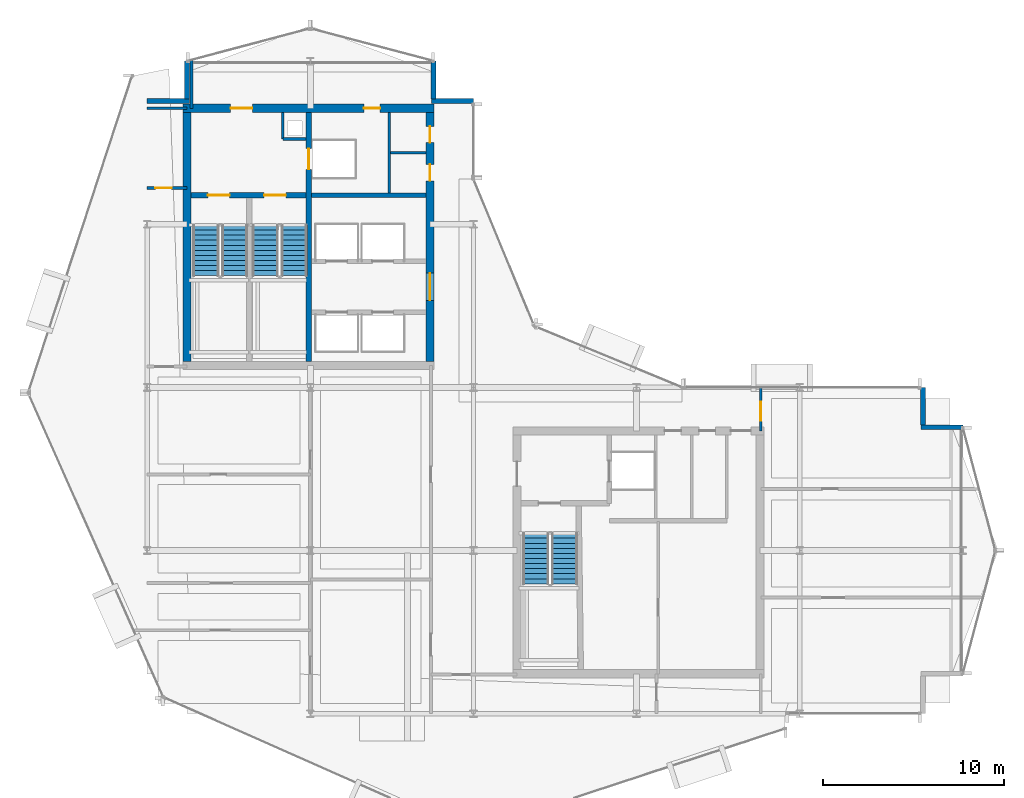
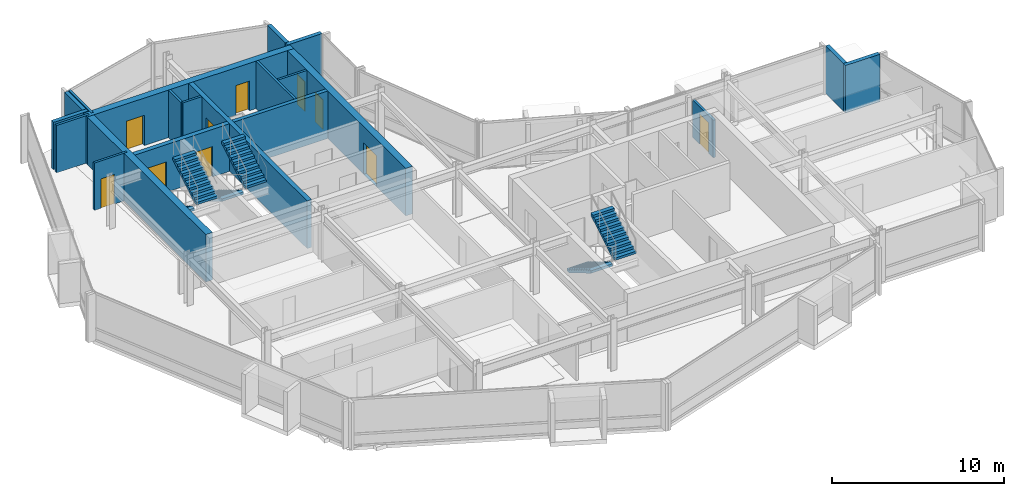
# One storey, part 21 of 27: 20 walls, 10 doors, 6 stair flights, 10 openings, 3 elements without a shape of their own.
"""IFC4 building model written with IfcOpenShell, lengths in metres."""

from ifc_helpers import new_model, si_unit, direction, frame, frame_2d, origin, place, context, subcontext, project, spatial, polyline, rectangle, outline, extrude, material, layer, layer_set, type_object, element, fill, aggregate, save


model = new_model("IFC4")

# Units and contexts
model_context = context("Model", 3, precision=1e-05, world=origin(), true_north=direction((0.0, 1.0)))
body_context = subcontext(model_context, "Body", "Model", "MODEL_VIEW")
ifc_project = project(units=[si_unit("LENGTHUNIT", "METRE"), si_unit("AREAUNIT", "SQUARE_METRE"), si_unit("VOLUMEUNIT", "CUBIC_METRE"), si_unit("PLANEANGLEUNIT", "RADIAN"), si_unit("MASSUNIT", "GRAM", prefix="KILO")], contexts=[model_context])

# Site, building, storey
site_placement = place(None, origin())
site = spatial("IfcSite", under=ifc_project, at=site_placement, CompositionType="ELEMENT")
building_placement = place(site_placement, origin())
building = spatial("IfcBuilding", under=site, at=building_placement, Name="Solvaryn Broadcast Tower", CompositionType="ELEMENT")
storey_placement = place(building_placement, frame((0.0, 0.0, 232.10009765625)))
storey = spatial("IfcBuildingStorey", under=building, at=storey_placement, Name="L58", CompositionType="ELEMENT", Elevation=232.10009765625)

# Wall, openings, doors
ifc_material_1 = material(Name="Concrete f'c 70 MPa", Category="concrete")
ifc_layer_1 = layer(ifc_material_1, 0.449951171875)
ifc_layer_set_1 = layer_set([ifc_layer_1], Name="CW-SHEAR-450")
wall_type_1 = type_object("IfcWallType", Name="CW-SHEAR-450", PredefinedType="SHEAR", material=ifc_layer_set_1)
wall_1_placement = place(storey_placement, frame((24.824951171875, 42.39990234375, 0.0), z_axis=(0.0, 0.0, 1.0), x_axis=(-1.0, 0.0, 0.0)))
wall_1 = element("IfcWall", 1, at=wall_1_placement, inside=storey, type_object=wall_type_1, Name="L58 West Core North Shear Wall", PredefinedType="SHEAR", context=body_context, shape_type="SweptSolid", body=[
    extrude(rectangle(XDim=13.849853515625, YDim=0.449951171875, at=frame_2d((6.9248046875, 0.0))), origin(), (0.0, 0.0, 1.0), 3.369873046875),
])
opening_1_placement = place(wall_1_placement, frame((10.02490234375, 0.0, 0.0)))
opening_1 = element("IfcOpeningElement", 2, at=opening_1_placement, cuts=wall_1, Name="Opening FD90A", PredefinedType="OPENING", context=body_context, shape_type="SweptSolid", body=[
    extrude(rectangle(XDim=1.199951171875, YDim=2.14990234375, at=frame_2d((0.60009765625, 1.074951171875))), frame((0.0, 0.235107421875, 0.0), z_axis=(0.0, -1.0, 0.0), x_axis=(1.0, 0.0, 0.0)), (0.0, 0.0, 1.0), 0.469970703125),
])
opening_2_placement = place(wall_1_placement, frame((2.97509765625, 0.0, 0.0)))
opening_2 = element("IfcOpeningElement", 3, at=opening_2_placement, cuts=wall_1, Name="Opening FD60C", PredefinedType="OPENING", context=body_context, shape_type="SweptSolid", body=[
    extrude(rectangle(XDim=0.89990234375, YDim=2.10009765625, at=frame_2d((0.449951171875, 1.050048828125))), frame((0.0, 0.235107421875, 0.0), z_axis=(0.0, -1.0, 0.0), x_axis=(1.0, 0.0, 0.0)), (0.0, 0.0, 1.0), 0.469970703125),
])
ifc_material_2 = material(Name="Flush Acoustic Steel and Timber Door Assembly", Category="steel")
door_type_1 = type_object("IfcDoorType", Name="FD60-SERV-900X2100", OperationType="NOTDEFINED", PredefinedType="DOOR", material=ifc_material_2)
door_1_placement = place(opening_2_placement, origin())
door_1 = element("IfcDoor", 4, at=door_1_placement, inside=storey, type_object=door_type_1, Name="L58 West Core Fiber Riser Door", OperationType="SINGLE_SWING_RIGHT", OverallHeight=2.10009765625, OverallWidth=0.89990234375, PredefinedType="DOOR", context=body_context, shape_type="SweptSolid", body=[
    extrude(rectangle(XDim=0.89990234375, YDim=2.10009765625, at=frame_2d((0.449951171875, 1.050048828125))), frame((0.0, 0.02490234375, 0.0), z_axis=(0.0, -1.0, 0.0), x_axis=(1.0, 0.0, 0.0)), (0.0, 0.0, 1.0), 0.050048828125),
])
fill(opening_2, door_1)
ifc_material_3 = material(Name="Flush Acoustic Steel and Timber Door Assembly", Category="steel")
door_type_2 = type_object("IfcDoorType", Name="FD90-STAIR-1200X2150", OperationType="NOTDEFINED", PredefinedType="DOOR", material=ifc_material_3)
door_2_placement = place(opening_1_placement, origin())
door_2 = element("IfcDoor", 5, at=door_2_placement, inside=storey, type_object=door_type_2, Name="L58 West FSAE Lobby Corridor Door", OperationType="SINGLE_SWING_LEFT", OverallHeight=2.14990234375, OverallWidth=1.199951171875, PredefinedType="DOOR", context=body_context, shape_type="SweptSolid", body=[
    extrude(rectangle(XDim=1.199951171875, YDim=2.14990234375, at=frame_2d((0.60009765625, 1.074951171875))), frame((0.0, 0.02490234375, 0.0), z_axis=(0.0, -1.0, 0.0), x_axis=(1.0, 0.0, 0.0)), (0.0, 0.0, 1.0), 0.050048828125),
])
fill(opening_1, door_2)

# Wall
wall_2_placement = place(storey_placement, frame((11.199951171875, 42.175048828125, 0.0), z_axis=(0.0, 0.0, 1.0), x_axis=(0.0, -1.0, 0.0)))
element("IfcWall", 6, at=wall_2_placement, inside=storey, type_object=wall_type_1, Name="L58 West Core West Shear Wall", PredefinedType="SHEAR", context=body_context, shape_type="SweptSolid", body=[
    extrude(rectangle(XDim=13.75, YDim=0.449951171875, at=frame_2d((6.875, 0.0))), origin(), (0.0, 0.0, 1.0), 3.369873046875),
])

# Wall, openings, doors
wall_3_placement = place(storey_placement, frame((24.60009765625, 28.425048828125, 0.0), z_axis=(0.0, 0.0, 1.0), x_axis=(0.0, 1.0, 0.0)))
wall_3 = element("IfcWall", 7, at=wall_3_placement, inside=storey, type_object=wall_type_1, Name="L58 West Core East Shear Wall", PredefinedType="SHEAR", context=body_context, shape_type="SweptSolid", body=[
    extrude(rectangle(XDim=13.75, YDim=0.449951171875, at=frame_2d((6.875, 0.0))), origin(), (0.0, 0.0, 1.0), 3.369873046875),
])
opening_3_placement = place(wall_3_placement, frame((3.375, 0.0, 0.0)))
opening_3 = element("IfcOpeningElement", 8, at=opening_3_placement, cuts=wall_3, Name="Opening FD60A", PredefinedType="OPENING", context=body_context, shape_type="SweptSolid", body=[
    extrude(rectangle(XDim=1.5, YDim=2.199951171875, at=frame_2d((0.75, 1.10009765625))), frame((0.0, 0.235107421875, 0.0), z_axis=(0.0, -1.0, 0.0), x_axis=(1.0, 0.0, 0.0)), (0.0, 0.0, 1.0), 0.469970703125),
])
opening_4_placement = place(wall_3_placement, frame((9.97509765625, 0.0, 0.0)))
opening_4 = element("IfcOpeningElement", 9, at=opening_4_placement, cuts=wall_3, Name="Opening FD60C", PredefinedType="OPENING", context=body_context, shape_type="SweptSolid", body=[
    extrude(rectangle(XDim=0.89990234375, YDim=2.10009765625, at=frame_2d((0.449951171875, 1.050048828125))), frame((0.0, 0.235107421875, 0.0), z_axis=(0.0, -1.0, 0.0), x_axis=(1.0, 0.0, 0.0)), (0.0, 0.0, 1.0), 0.469970703125),
])
opening_5_placement = place(wall_3_placement, frame((12.074951171875, 0.0, 0.0)))
opening_5 = element("IfcOpeningElement", 10, at=opening_5_placement, cuts=wall_3, Name="Opening FD60C", PredefinedType="OPENING", context=body_context, shape_type="SweptSolid", body=[
    extrude(rectangle(XDim=0.89990234375, YDim=2.10009765625, at=frame_2d((0.449951171875, 1.050048828125))), frame((0.0, 0.235107421875, 0.0), z_axis=(0.0, -1.0, 0.0), x_axis=(1.0, 0.0, 0.0)), (0.0, 0.0, 1.0), 0.469970703125),
])
ifc_material_4 = material(Name="Flush Acoustic Steel and Timber Door Assembly", Category="steel")
door_type_3 = type_object("IfcDoorType", Name="FD60-CORR-1500X2200", OperationType="NOTDEFINED", PredefinedType="DOOR", material=ifc_material_4)
door_3_placement = place(opening_3_placement, origin())
door_3 = element("IfcDoor", 11, at=door_3_placement, inside=storey, type_object=door_type_3, Name="L58 West Elevator Lobby Corridor Door", OperationType="DOUBLE_DOOR_SINGLE_SWING", OverallHeight=2.199951171875, OverallWidth=1.5, PredefinedType="DOOR", context=body_context, shape_type="SweptSolid", body=[
    extrude(rectangle(XDim=1.5, YDim=2.199951171875, at=frame_2d((0.75, 1.10009765625))), frame((0.0, 0.02490234375, 0.0), z_axis=(0.0, -1.0, 0.0), x_axis=(1.0, 0.0, 0.0)), (0.0, 0.0, 1.0), 0.050048828125),
])
fill(opening_3, door_3)
door_4_placement = place(opening_4_placement, origin())
door_4 = element("IfcDoor", 12, at=door_4_placement, inside=storey, type_object=door_type_1, Name="L58 West Core Service Door 1", OperationType="SINGLE_SWING_LEFT", OverallHeight=2.10009765625, OverallWidth=0.89990234375, PredefinedType="DOOR", context=body_context, shape_type="SweptSolid", body=[
    extrude(rectangle(XDim=0.89990234375, YDim=2.10009765625, at=frame_2d((0.449951171875, 1.050048828125))), frame((0.0, 0.02490234375, 0.0), z_axis=(0.0, -1.0, 0.0), x_axis=(1.0, 0.0, 0.0)), (0.0, 0.0, 1.0), 0.050048828125),
])
fill(opening_4, door_4)
door_5_placement = place(opening_5_placement, origin())
door_5 = element("IfcDoor", 13, at=door_5_placement, inside=storey, type_object=door_type_1, Name="L58 West Core Janitor Door", OperationType="SINGLE_SWING_RIGHT", OverallHeight=2.10009765625, OverallWidth=0.89990234375, PredefinedType="DOOR", context=body_context, shape_type="SweptSolid", body=[
    extrude(rectangle(XDim=0.89990234375, YDim=2.10009765625, at=frame_2d((0.449951171875, 1.050048828125))), frame((0.0, 0.02490234375, 0.0), z_axis=(0.0, -1.0, 0.0), x_axis=(1.0, 0.0, 0.0)), (0.0, 0.0, 1.0), 0.050048828125),
])
fill(opening_5, door_5)

# Walls
ifc_material_5 = material(Name="Concrete f'c 50 MPa", Category="concrete")
ifc_layer_2 = layer(ifc_material_5, 0.260009765625)
ifc_layer_set_2 = layer_set([ifc_layer_2], Name="EW-PIER-260")
wall_type_2 = type_object("IfcWallType", Name="EW-PIER-260", PredefinedType="SOLIDWALL", material=ifc_layer_set_2)
wall_4_placement = place(storey_placement, frame((9.0, 42.800048828125, 0.0), z_axis=(0.0, 0.0, 1.0), x_axis=(1.0, 0.0, 0.0)))
element("IfcWall", 14, at=wall_4_placement, inside=storey, type_object=wall_type_2, Name="L58 Notched Corner Pier Wall NNW1", PredefinedType="SOLIDWALL", context=body_context, shape_type="SweptSolid", body=[
    extrude(rectangle(XDim=2.320068359375, YDim=0.260009765625, at=frame_2d((1.16015625, 0.0))), origin(), (0.0, 0.0, 1.0), 3.369873046875),
])
for number, where, z_axis, x_axis, name in (
    (15, (11.199951171875, 42.919921875, 0.0), (0.0, 0.0, 1.0), (0.0, 1.0, 0.0), "L58 Notched Corner Pier Wall NNW2"),
    (16, (24.800048828125, 45.0, 0.0), (0.0, 0.0, 1.0), (0.0, -1.0, 0.0), "L58 Notched Corner Pier Wall NNE1"),
):
    element("IfcWall", number, at=place(storey_placement, frame(where, z_axis=z_axis, x_axis=x_axis)), inside=storey, type_object=wall_type_2, Name=name, PredefinedType="SOLIDWALL", context=body_context, shape_type="SweptSolid", body=[
        extrude(rectangle(XDim=2.080078125, YDim=0.260009765625, at=frame_2d((1.0400390625, 0.0))), origin(), (0.0, 0.0, 1.0), 3.369873046875),
    ])
for number, where, z_axis, x_axis, name in (
    (17, (24.679931640625, 42.800048828125, 0.0), (0.0, 0.0, 1.0), (1.0, 0.0, 0.0), "L58 Notched Corner Pier Wall NNE2"),
    (18, (54.0, 24.800048828125, 0.0), (0.0, 0.0, 1.0), (-1.0, 0.0, 0.0), "L58 Notched Corner Pier Wall NEE1"),
):
    element("IfcWall", number, at=place(storey_placement, frame(where, z_axis=z_axis, x_axis=x_axis)), inside=storey, type_object=wall_type_2, Name=name, PredefinedType="SOLIDWALL", context=body_context, shape_type="SweptSolid", body=[
        extrude(rectangle(XDim=2.320068359375, YDim=0.260009765625, at=frame_2d((1.16015625, 0.0))), origin(), (0.0, 0.0, 1.0), 3.369873046875),
    ])
wall_5_placement = place(storey_placement, frame((51.800048828125, 24.919921875, 0.0), z_axis=(0.0, 0.0, 1.0), x_axis=(0.0, 1.0, 0.0)))
element("IfcWall", 19, at=wall_5_placement, inside=storey, type_object=wall_type_2, Name="L58 Notched Corner Pier Wall NEE2", PredefinedType="SOLIDWALL", context=body_context, shape_type="SweptSolid", body=[
    extrude(rectangle(XDim=2.080078125, YDim=0.260009765625, at=frame_2d((1.0400390625, 0.0))), origin(), (0.0, 0.0, 1.0), 3.369873046875),
])
ifc_material_6 = material(Name="Metal-Stud Service Core Partition")
ifc_layer_3 = layer(ifc_material_6, 0.14990234375)
ifc_layer_set_3 = layer_set([ifc_layer_3], Name="IW-PART-150")
wall_type_3 = type_object("IfcWallType", Name="IW-PART-150", PredefinedType="PARTITIONING", material=ifc_layer_set_3)
wall_6_placement = place(storey_placement, frame((16.47998046875, 40.699951171875, 0.0), z_axis=(0.0, 0.0, 1.0), x_axis=(1.0, 0.0, 0.0)))
element("IfcWall", 20, at=wall_6_placement, inside=storey, type_object=wall_type_3, Name="L58 West Core Riser Shaft South Wall", PredefinedType="PARTITIONING", context=body_context, shape_type="SweptSolid", body=[
    extrude(rectangle(XDim=1.2900390625, YDim=0.14990234375, at=frame_2d((0.64501953125, 0.0))), origin(), (0.0, 0.0, 1.0), 3.369873046875),
])
wall_7_placement = place(storey_placement, frame((16.47998046875, 40.699951171875, 0.0), z_axis=(0.0, 0.0, 1.0), x_axis=(0.0, 1.0, 0.0)))
element("IfcWall", 21, at=wall_7_placement, inside=storey, type_object=wall_type_3, Name="L58 West Core Riser Shaft West Wall", PredefinedType="PARTITIONING", context=body_context, shape_type="SweptSolid", body=[
    extrude(rectangle(XDim=1.47509765625, YDim=0.14990234375, at=frame_2d((0.737548828125, 0.0))), origin(), (0.0, 0.0, 1.0), 3.369873046875),
])
wall_8_placement = place(storey_placement, frame((22.35009765625, 37.72998046875, 0.0), z_axis=(0.0, 0.0, 1.0), x_axis=(0.0, 1.0, 0.0)))
element("IfcWall", 22, at=wall_8_placement, inside=storey, type_object=wall_type_3, Name="L58 Interior Partition IW-L58-CWS-V", PredefinedType="PARTITIONING", context=body_context, shape_type="SweptSolid", body=[
    extrude(rectangle(XDim=4.445068359375, YDim=0.14990234375, at=frame_2d((2.22265625, 0.0))), origin(), (0.0, 0.0, 1.0), 3.369873046875),
])
wall_9_placement = place(storey_placement, frame((22.429931640625, 39.949951171875, 0.0), z_axis=(0.0, 0.0, 1.0), x_axis=(1.0, 0.0, 0.0)))
element("IfcWall", 23, at=wall_9_placement, inside=storey, type_object=wall_type_3, Name="L58 Interior Partition IW-L58-CWS-H", PredefinedType="PARTITIONING", context=body_context, shape_type="SweptSolid", body=[
    extrude(rectangle(XDim=1.945068359375, YDim=0.14990234375, at=frame_2d((0.97265625, 0.0))), origin(), (0.0, 0.0, 1.0), 3.369873046875),
])

# Wall, opening, door
wall_10_placement = place(storey_placement, frame((9.0, 38.0, 0.0), z_axis=(0.0, 0.0, 1.0), x_axis=(1.0, 0.0, 0.0)))
wall_10 = element("IfcWall", 24, at=wall_10_placement, inside=storey, type_object=wall_type_3, Name="L58 Interior Partition IW-L58-WM-M", PredefinedType="PARTITIONING", context=body_context, shape_type="SweptSolid", body=[
    extrude(rectangle(XDim=2.199951171875, YDim=0.14990234375, at=frame_2d((1.10009765625, 0.0))), origin(), (0.0, 0.0, 1.0), 3.369873046875),
])
opening_6_placement = place(wall_10_placement, frame((0.449951171875, 0.0, 0.0)))
opening_6 = element("IfcOpeningElement", 25, at=opening_6_placement, cuts=wall_10, Name="Opening FD60C", PredefinedType="OPENING", context=body_context, shape_type="SweptSolid", body=[
    extrude(rectangle(XDim=0.89990234375, YDim=2.10009765625, at=frame_2d((0.449951171875, 1.050048828125))), frame((0.0, 0.0849609375, 0.0), z_axis=(0.0, -1.0, 0.0), x_axis=(1.0, 0.0, 0.0)), (0.0, 0.0, 1.0), 0.169921875),
])
door_6_placement = place(opening_6_placement, origin())
door_6 = element("IfcDoor", 26, at=door_6_placement, inside=storey, type_object=door_type_1, Name="L58 Door DR-L58-WM1", OperationType="SINGLE_SWING_LEFT", OverallHeight=2.10009765625, OverallWidth=0.89990234375, PredefinedType="DOOR", context=body_context, shape_type="SweptSolid", body=[
    extrude(rectangle(XDim=0.89990234375, YDim=2.10009765625, at=frame_2d((0.449951171875, 1.050048828125))), frame((0.0, 0.02490234375, 0.0), z_axis=(0.0, -1.0, 0.0), x_axis=(1.0, 0.0, 0.0)), (0.0, 0.0, 1.0), 0.050048828125),
])
fill(opening_6, door_6)

# Walls
ifc_material_7 = material(Name="Metal-Stud Gypsum Office Partition")
ifc_layer_4 = layer(ifc_material_7, 0.159912109375)
ifc_layer_set_4 = layer_set([ifc_layer_4], Name="IW-PART-160")
wall_type_4 = type_object("IfcWallType", Name="IW-PART-160", PredefinedType="PARTITIONING", material=ifc_layer_set_4)
wall_11_placement = place(storey_placement, frame((9.0, 42.39990234375, 0.0), z_axis=(0.0, 0.0, 1.0), x_axis=(1.0, 0.0, 0.0)))
element("IfcWall", 27, at=wall_11_placement, inside=storey, type_object=wall_type_4, Name="L58 Interior Partition IW-L58-WM-N", PredefinedType="PARTITIONING", context=body_context, shape_type="SweptSolid", body=[
    extrude(rectangle(XDim=2.199951171875, YDim=0.159912109375, at=frame_2d((1.10009765625, 0.0))), origin(), (0.0, 0.0, 1.0), 3.369873046875),
])
wall_12_placement = place(storey_placement, frame((11.449951171875, 42.39990234375, 0.0), z_axis=(0.0, 0.0, 1.0), x_axis=(0.0, 1.0, 0.0)))
element("IfcWall", 28, at=wall_12_placement, inside=storey, type_object=wall_type_4, Name="L58 Interior Partition IW-L58-WM-E", PredefinedType="PARTITIONING", context=body_context, shape_type="SweptSolid", body=[
    extrude(rectangle(XDim=2.666015625, YDim=0.159912109375, at=frame_2d((1.3330078125, 0.0))), origin(), (0.0, 0.0, 1.0), 3.369873046875),
])

# Wall, opening, door
wall_13_placement = place(storey_placement, frame((42.85009765625, 24.60009765625, 0.0), z_axis=(0.0, 0.0, 1.0), x_axis=(0.0, 1.0, 0.0)))
wall_13 = element("IfcWall", 29, at=wall_13_placement, inside=storey, type_object=wall_type_4, Name="L58 Interior Partition IW-L58-EW-BN", PredefinedType="PARTITIONING", context=body_context, shape_type="SweptSolid", body=[
    extrude(rectangle(XDim=2.39990234375, YDim=0.159912109375, at=frame_2d((1.199951171875, 0.0))), origin(), (0.0, 0.0, 1.0), 2.656982421875),
])
opening_7_placement = place(wall_13_placement, frame((0.550048828125, 0.0, 0.0)))
opening_7 = element("IfcOpeningElement", 30, at=opening_7_placement, cuts=wall_13, Name="Opening ID03", PredefinedType="OPENING", context=body_context, shape_type="SweptSolid", body=[
    extrude(rectangle(XDim=1.050048828125, YDim=2.14990234375, at=frame_2d((0.52490234375, 1.074951171875))), frame((0.0, 0.090087890625, 0.0), z_axis=(0.0, -1.0, 0.0), x_axis=(1.0, 0.0, 0.0)), (0.0, 0.0, 1.0), 0.179931640625),
])
ifc_material_8 = material(Name="Flush Acoustic Steel and Timber Door Assembly", Category="steel")
door_type_4 = type_object("IfcDoorType", Name="ID-03-1050X2150", OperationType="NOTDEFINED", PredefinedType="DOOR", material=ifc_material_8)
door_7_placement = place(opening_7_placement, origin())
door_7 = element("IfcDoor", 31, at=door_7_placement, inside=storey, type_object=door_type_4, Name="L58 Door DR-L58-EW0", OperationType="SINGLE_SWING_LEFT", OverallHeight=2.14990234375, OverallWidth=1.050048828125, PredefinedType="DOOR", context=body_context, shape_type="SweptSolid", body=[
    extrude(rectangle(XDim=1.050048828125, YDim=2.14990234375, at=frame_2d((0.52490234375, 1.074951171875))), frame((0.0, 0.02490234375, 0.0), z_axis=(0.0, -1.0, 0.0), x_axis=(1.0, 0.0, 0.0)), (0.0, 0.0, 1.0), 0.050048828125),
])
fill(opening_7, door_7)

# Wall
ifc_material_9 = material(Name="Concrete f'c 60 MPa", Category="concrete")
ifc_layer_5 = layer(ifc_material_9, 0.25)
ifc_layer_set_5 = layer_set([ifc_layer_5], Name="SW-SHAFT-250")
wall_type_5 = type_object("IfcWallType", Name="SW-SHAFT-250", PredefinedType="PARTITIONING", material=ifc_layer_set_5)
wall_14_placement = place(storey_placement, frame((18.070068359375, 37.60009765625, 0.0), z_axis=(0.0, 0.0, 1.0), x_axis=(1.0, 0.0, 0.0)))
element("IfcWall", 32, at=wall_14_placement, inside=storey, type_object=wall_type_5, Name="L58 West Core FSAE Hoistway Front Wall", PredefinedType="PARTITIONING", context=body_context, shape_type="SweptSolid", body=[
    extrude(rectangle(XDim=6.304931640625, YDim=0.25, at=frame_2d((3.15234375, 0.0))), origin(), (0.0, 0.0, 1.0), 3.369873046875),
])

# Wall, opening, door
ifc_material_10 = material(Name="Concrete f'c 70 MPa", Category="concrete")
ifc_layer_6 = layer(ifc_material_10, 0.300048828125)
ifc_layer_set_6 = layer_set([ifc_layer_6], Name="SW-SHAFT-300")
wall_type_6 = type_object("IfcWallType", Name="SW-SHAFT-300", PredefinedType="SHEAR", material=ifc_layer_set_6)
wall_15_placement = place(storey_placement, frame((17.919921875, 42.175048828125, 0.0), z_axis=(0.0, 0.0, 1.0), x_axis=(0.0, -1.0, 0.0)))
wall_15 = element("IfcWall", 33, at=wall_15_placement, inside=storey, type_object=wall_type_6, Name="L58 West Core Stair-Lobby Shear Wall", PredefinedType="SHEAR", context=body_context, shape_type="SweptSolid", body=[
    extrude(rectangle(XDim=13.75, YDim=0.300048828125, at=frame_2d((6.875, 0.0))), origin(), (0.0, 0.0, 1.0), 3.369873046875),
])
opening_8_placement = place(wall_15_placement, frame((2.0, 0.0, 0.0)))
opening_8 = element("IfcOpeningElement", 34, at=opening_8_placement, cuts=wall_15, Name="Opening LD01", PredefinedType="OPENING", context=body_context, shape_type="SweptSolid", body=[
    extrude(rectangle(XDim=1.14990234375, YDim=2.14990234375, at=frame_2d((0.574951171875, 1.074951171875))), frame((0.0, 0.159912109375, 0.0), z_axis=(0.0, -1.0, 0.0), x_axis=(1.0, 0.0, 0.0)), (0.0, 0.0, 1.0), 0.320068359375),
])
ifc_material_11 = material(Name="Flush Acoustic Steel and Timber Door Assembly", Category="steel")
door_type_5 = type_object("IfcDoorType", Name="LD-LIFT-1150X2150", OperationType="NOTDEFINED", PredefinedType="DOOR", material=ifc_material_11)
door_8_placement = place(opening_8_placement, origin())
door_8 = element("IfcDoor", 35, at=door_8_placement, inside=storey, type_object=door_type_5, Name="L58 FL1 Lift Landing Door", OperationType="DOUBLE_DOOR_SLIDING", OverallHeight=2.14990234375, OverallWidth=1.14990234375, PredefinedType="DOOR", context=body_context, shape_type="SweptSolid", body=[
    extrude(rectangle(XDim=1.14990234375, YDim=2.14990234375, at=frame_2d((0.574951171875, 1.074951171875))), frame((0.0, 0.02490234375, 0.0), z_axis=(0.0, -1.0, 0.0), x_axis=(1.0, 0.0, 0.0)), (0.0, 0.0, 1.0), 0.050048828125),
])
fill(opening_8, door_8)

# Wall, openings, doors
wall_16_placement = place(storey_placement, frame((17.77001953125, 37.60009765625, 0.0), z_axis=(0.0, 0.0, 1.0), x_axis=(-1.0, 0.0, 0.0)))
wall_16 = element("IfcWall", 36, at=wall_16_placement, inside=storey, type_object=wall_type_6, Name="L58 West Core FSAE Lobby South Wall", PredefinedType="SHEAR", context=body_context, shape_type="SweptSolid", body=[
    extrude(rectangle(XDim=6.344970703125, YDim=0.300048828125, at=frame_2d((3.17236328125, 0.0))), origin(), (0.0, 0.0, 1.0), 3.369873046875),
])
opening_9_placement = place(wall_16_placement, frame((4.219970703125, 0.0, 0.0)))
opening_9 = element("IfcOpeningElement", 37, at=opening_9_placement, cuts=wall_16, Name="Opening FD90A", PredefinedType="OPENING", context=body_context, shape_type="SweptSolid", body=[
    extrude(rectangle(XDim=1.199951171875, YDim=2.14990234375, at=frame_2d((0.60009765625, 1.074951171875))), frame((0.0, 0.159912109375, 0.0), z_axis=(0.0, -1.0, 0.0), x_axis=(1.0, 0.0, 0.0)), (0.0, 0.0, 1.0), 0.320068359375),
])
opening_10_placement = place(wall_16_placement, frame((1.1201171875, 0.0, 0.0)))
opening_10 = element("IfcOpeningElement", 38, at=opening_10_placement, cuts=wall_16, Name="Opening FD90A", PredefinedType="OPENING", context=body_context, shape_type="SweptSolid", body=[
    extrude(rectangle(XDim=1.199951171875, YDim=2.14990234375, at=frame_2d((0.60009765625, 1.074951171875))), frame((0.0, 0.159912109375, 0.0), z_axis=(0.0, -1.0, 0.0), x_axis=(1.0, 0.0, 0.0)), (0.0, 0.0, 1.0), 0.320068359375),
])
door_9_placement = place(opening_9_placement, origin())
door_9 = element("IfcDoor", 39, at=door_9_placement, inside=storey, type_object=door_type_2, Name="L58 Stair 1 Fire Door", OperationType="SINGLE_SWING_LEFT", OverallHeight=2.14990234375, OverallWidth=1.199951171875, PredefinedType="DOOR", context=body_context, shape_type="SweptSolid", body=[
    extrude(rectangle(XDim=1.199951171875, YDim=2.14990234375, at=frame_2d((0.60009765625, 1.074951171875))), frame((0.0, 0.02490234375, 0.0), z_axis=(0.0, -1.0, 0.0), x_axis=(1.0, 0.0, 0.0)), (0.0, 0.0, 1.0), 0.050048828125),
])
fill(opening_9, door_9)
door_10_placement = place(opening_10_placement, origin())
door_10 = element("IfcDoor", 40, at=door_10_placement, inside=storey, type_object=door_type_2, Name="L58 Stair 2 Fire Door", OperationType="SINGLE_SWING_RIGHT", OverallHeight=2.14990234375, OverallWidth=1.199951171875, PredefinedType="DOOR", context=body_context, shape_type="SweptSolid", body=[
    extrude(rectangle(XDim=1.199951171875, YDim=2.14990234375, at=frame_2d((0.60009765625, 1.074951171875))), frame((0.0, 0.02490234375, 0.0), z_axis=(0.0, -1.0, 0.0), x_axis=(1.0, 0.0, 0.0)), (0.0, 0.0, 1.0), 0.050048828125),
])
fill(opening_10, door_10)

# Stair, stair flights
ifc_material_12 = material(Name="Concrete f'c 60 MPa", Category="concrete")
stair_type = type_object("IfcStairType", Name="ST-CORE", PredefinedType="HALF_TURN_STAIR", material=ifc_material_12)
stair_1_placement = place(storey_placement, origin())
stair_1 = element("IfcStair", 41, at=stair_1_placement, inside=storey, type_object=stair_type, Name="L58 ST1", PredefinedType="HALF_TURN_STAIR")
ifc_material_13 = material(Name="Concrete f'c 60 MPa", Category="concrete")
ifc_layer_7 = layer(ifc_material_13, 0.159912109375)
ifc_layer_set_7 = layer_set([ifc_layer_7], Name="SF-CORE")
stair_flight_type = type_object("IfcStairFlightType", Name="SF-CORE", PredefinedType="STRAIGHT", material=ifc_layer_set_7)
stair_flight_1_placement = place(storey_placement, frame((12.239990234375, 35.9599609375, 0.0), z_axis=(0.0, 0.0, 1.0), x_axis=(0.0, -1.0, 0.0)))
stair_flight_1 = element("IfcStairFlight", 42, at=stair_flight_1_placement, type_object=stair_flight_type, Name="ST1 flight 1", NumberOfRisers=11, NumberOfTreads=10, PredefinedType="STRAIGHT", RiserHeight=0.168181818, TreadLength=0.28, context=body_context, shape_type="SweptSolid", body=[
    extrude(outline(polyline([(0.0, 0.0), (0.0, 0.168212890625), (0.280029296875, 0.168212890625), (0.280029296875, 0.33642578125), (0.56005859375, 0.33642578125), (0.56005859375, 0.504638671875), (0.840087890625, 0.504638671875), (0.840087890625, 0.672607421875), (1.1201171875, 0.672607421875), (1.1201171875, 0.8408203125), (1.39990234375, 0.8408203125), (1.39990234375, 1.009033203125), (1.679931640625, 1.009033203125), (1.679931640625, 1.17724609375), (1.9599609375, 1.17724609375), (1.9599609375, 1.345458984375), (2.239990234375, 1.345458984375), (2.239990234375, 1.513671875), (2.52001953125, 1.513671875), (2.52001953125, 1.681884765625), (2.800048828125, 1.681884765625), (2.800048828125, 1.85009765625), (2.800048828125, 1.5068359375), (0.291015625, 0.0), (0.0, 0.0)])), frame((0.0, 0.719970703125, 0.0), z_axis=(0.0, -1.0, 0.0), x_axis=(1.0, 0.0, 0.0)), (0.0, 0.0, 1.0), 1.43994140625),
])
stair_flight_2_placement = place(storey_placement, frame((13.830078125, 33.159912109375, 1.849853515625), z_axis=(0.0, 0.0, 1.0), x_axis=(0.0, 1.0, 0.0)))
stair_flight_2 = element("IfcStairFlight", 43, at=stair_flight_2_placement, type_object=stair_flight_type, Name="ST1 flight 2", NumberOfRisers=11, NumberOfTreads=10, PredefinedType="STRAIGHT", RiserHeight=0.168181818, TreadLength=0.28, context=body_context, shape_type="SweptSolid", body=[
    extrude(outline(polyline([(0.0, 0.0), (0.0, 0.168212890625), (0.280029296875, 0.168212890625), (0.280029296875, 0.33642578125), (0.56005859375, 0.33642578125), (0.56005859375, 0.504638671875), (0.840087890625, 0.504638671875), (0.840087890625, 0.672607421875), (1.1201171875, 0.672607421875), (1.1201171875, 0.8408203125), (1.39990234375, 0.8408203125), (1.39990234375, 1.009033203125), (1.679931640625, 1.009033203125), (1.679931640625, 1.17724609375), (1.9599609375, 1.17724609375), (1.9599609375, 1.345458984375), (2.239990234375, 1.345458984375), (2.239990234375, 1.513671875), (2.52001953125, 1.513671875), (2.52001953125, 1.681884765625), (2.800048828125, 1.681884765625), (2.800048828125, 1.85009765625), (2.800048828125, 1.5068359375), (0.291015625, 0.0), (0.0, 0.0)])), frame((0.0, 0.719970703125, 0.0), z_axis=(0.0, -1.0, 0.0), x_axis=(1.0, 0.0, 0.0)), (0.0, 0.0, 1.0), 1.43994140625),
])
aggregate(stair_1, [stair_flight_1, stair_flight_2])

stair_2_placement = place(storey_placement, origin())
stair_2 = element("IfcStair", 44, at=stair_2_placement, inside=storey, type_object=stair_type, Name="L58 ST2", PredefinedType="HALF_TURN_STAIR")
stair_flight_3_placement = place(storey_placement, frame((15.52001953125, 35.9599609375, 0.0), z_axis=(0.0, 0.0, 1.0), x_axis=(0.0, -1.0, 0.0)))
stair_flight_3 = element("IfcStairFlight", 45, at=stair_flight_3_placement, type_object=stair_flight_type, Name="ST2 flight 1", NumberOfRisers=11, NumberOfTreads=10, PredefinedType="STRAIGHT", RiserHeight=0.168181818, TreadLength=0.28, context=body_context, shape_type="SweptSolid", body=[
    extrude(outline(polyline([(0.0, 0.0), (0.0, 0.168212890625), (0.280029296875, 0.168212890625), (0.280029296875, 0.33642578125), (0.56005859375, 0.33642578125), (0.56005859375, 0.504638671875), (0.840087890625, 0.504638671875), (0.840087890625, 0.672607421875), (1.1201171875, 0.672607421875), (1.1201171875, 0.8408203125), (1.39990234375, 0.8408203125), (1.39990234375, 1.009033203125), (1.679931640625, 1.009033203125), (1.679931640625, 1.17724609375), (1.9599609375, 1.17724609375), (1.9599609375, 1.345458984375), (2.239990234375, 1.345458984375), (2.239990234375, 1.513671875), (2.52001953125, 1.513671875), (2.52001953125, 1.681884765625), (2.800048828125, 1.681884765625), (2.800048828125, 1.85009765625), (2.800048828125, 1.5068359375), (0.291015625, 0.0), (0.0, 0.0)])), frame((0.0, 0.719970703125, 0.0), z_axis=(0.0, -1.0, 0.0), x_axis=(1.0, 0.0, 0.0)), (0.0, 0.0, 1.0), 1.43994140625),
])
stair_flight_4_placement = place(storey_placement, frame((17.110107421875, 33.159912109375, 1.849853515625), z_axis=(0.0, 0.0, 1.0), x_axis=(0.0, 1.0, 0.0)))
stair_flight_4 = element("IfcStairFlight", 46, at=stair_flight_4_placement, type_object=stair_flight_type, Name="ST2 flight 2", NumberOfRisers=11, NumberOfTreads=10, PredefinedType="STRAIGHT", RiserHeight=0.168181818, TreadLength=0.28, context=body_context, shape_type="SweptSolid", body=[
    extrude(outline(polyline([(0.0, 0.0), (0.0, 0.168212890625), (0.280029296875, 0.168212890625), (0.280029296875, 0.33642578125), (0.56005859375, 0.33642578125), (0.56005859375, 0.504638671875), (0.840087890625, 0.504638671875), (0.840087890625, 0.672607421875), (1.1201171875, 0.672607421875), (1.1201171875, 0.8408203125), (1.39990234375, 0.8408203125), (1.39990234375, 1.009033203125), (1.679931640625, 1.009033203125), (1.679931640625, 1.17724609375), (1.9599609375, 1.17724609375), (1.9599609375, 1.345458984375), (2.239990234375, 1.345458984375), (2.239990234375, 1.513671875), (2.52001953125, 1.513671875), (2.52001953125, 1.681884765625), (2.800048828125, 1.681884765625), (2.800048828125, 1.85009765625), (2.800048828125, 1.5068359375), (0.291015625, 0.0), (0.0, 0.0)])), frame((0.0, 0.719970703125, 0.0), z_axis=(0.0, -1.0, 0.0), x_axis=(1.0, 0.0, 0.0)), (0.0, 0.0, 1.0), 1.43994140625),
])
aggregate(stair_2, [stair_flight_3, stair_flight_4])

stair_3_placement = place(storey_placement, origin())
stair_3 = element("IfcStair", 47, at=stair_3_placement, inside=storey, type_object=stair_type, Name="L58 ST3", PredefinedType="HALF_TURN_STAIR")
stair_flight_5_placement = place(storey_placement, frame((30.43994140625, 18.9599609375, 0.0), z_axis=(0.0, 0.0, 1.0), x_axis=(0.0, -1.0, 0.0)))
stair_flight_5 = element("IfcStairFlight", 48, at=stair_flight_5_placement, type_object=stair_flight_type, Name="ST3 flight 1", NumberOfRisers=11, NumberOfTreads=10, PredefinedType="STRAIGHT", RiserHeight=0.168181818, TreadLength=0.28, context=body_context, shape_type="SweptSolid", body=[
    extrude(outline(polyline([(0.0, 0.0), (0.0, 0.168212890625), (0.280029296875, 0.168212890625), (0.280029296875, 0.33642578125), (0.56005859375, 0.33642578125), (0.56005859375, 0.504638671875), (0.840087890625, 0.504638671875), (0.840087890625, 0.672607421875), (1.1201171875, 0.672607421875), (1.1201171875, 0.8408203125), (1.39990234375, 0.8408203125), (1.39990234375, 1.009033203125), (1.679931640625, 1.009033203125), (1.679931640625, 1.17724609375), (1.9599609375, 1.17724609375), (1.9599609375, 1.345458984375), (2.239990234375, 1.345458984375), (2.239990234375, 1.513671875), (2.52001953125, 1.513671875), (2.52001953125, 1.681884765625), (2.800048828125, 1.681884765625), (2.800048828125, 1.85009765625), (2.800048828125, 1.5068359375), (0.291015625, 0.0), (0.0, 0.0)])), frame((0.0, 0.719970703125, 0.0), z_axis=(0.0, -1.0, 0.0), x_axis=(1.0, 0.0, 0.0)), (0.0, 0.0, 1.0), 1.43994140625),
])
stair_flight_6_placement = place(storey_placement, frame((32.030029296875, 16.159912109375, 1.849853515625), z_axis=(0.0, 0.0, 1.0), x_axis=(0.0, 1.0, 0.0)))
stair_flight_6 = element("IfcStairFlight", 49, at=stair_flight_6_placement, type_object=stair_flight_type, Name="ST3 flight 2", NumberOfRisers=11, NumberOfTreads=10, PredefinedType="STRAIGHT", RiserHeight=0.168181818, TreadLength=0.28, context=body_context, shape_type="SweptSolid", body=[
    extrude(outline(polyline([(0.0, 0.0), (0.0, 0.168212890625), (0.280029296875, 0.168212890625), (0.280029296875, 0.33642578125), (0.56005859375, 0.33642578125), (0.56005859375, 0.504638671875), (0.840087890625, 0.504638671875), (0.840087890625, 0.672607421875), (1.1201171875, 0.672607421875), (1.1201171875, 0.8408203125), (1.39990234375, 0.8408203125), (1.39990234375, 1.009033203125), (1.679931640625, 1.009033203125), (1.679931640625, 1.17724609375), (1.9599609375, 1.17724609375), (1.9599609375, 1.345458984375), (2.239990234375, 1.345458984375), (2.239990234375, 1.513671875), (2.52001953125, 1.513671875), (2.52001953125, 1.681884765625), (2.800048828125, 1.681884765625), (2.800048828125, 1.85009765625), (2.800048828125, 1.5068359375), (0.291015625, 0.0), (0.0, 0.0)])), frame((0.0, 0.719970703125, 0.0), z_axis=(0.0, -1.0, 0.0), x_axis=(1.0, 0.0, 0.0)), (0.0, 0.0, 1.0), 1.43994140625),
])
aggregate(stair_3, [stair_flight_5, stair_flight_6])

save(model, "model.ifc")
